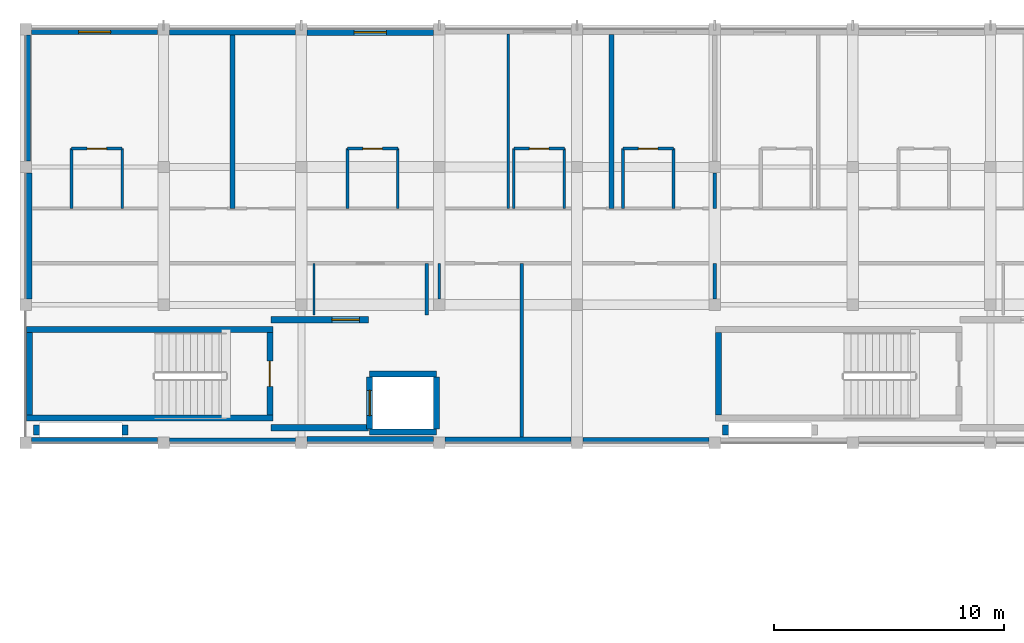
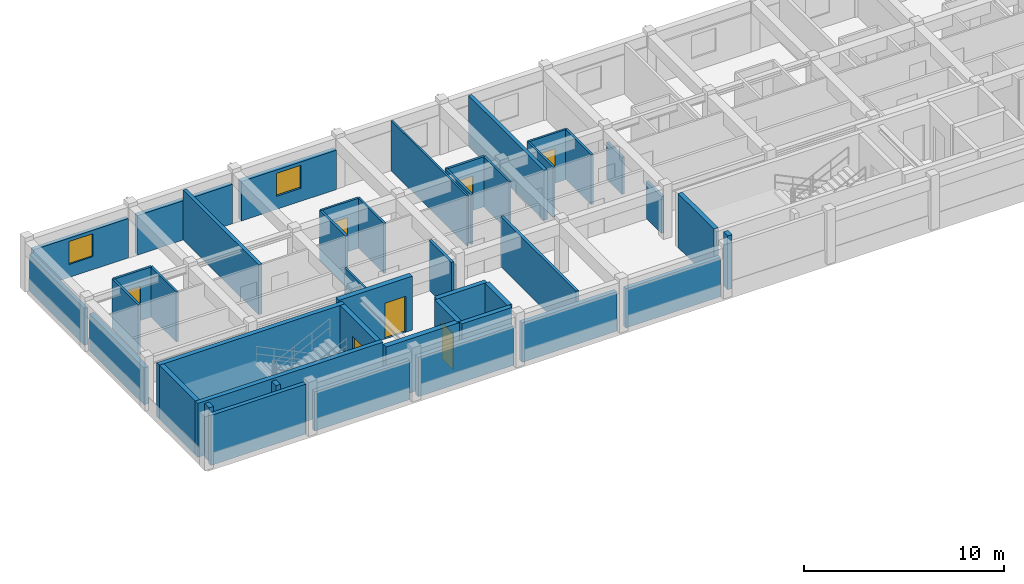
# One storey, part 7 of 15: 45 walls, 7 doors, 2 windows, 9 openings.
"""IFC4 building model written with IfcOpenShell, lengths in metres."""

from ifc_helpers import new_model, si_unit, direction, frame, frame_2d, origin, place, context, subcontext, project, spatial, rectangle, extrude, material, layer, layer_set, type_object, element, fill, save


model = new_model("IFC4")

# Units and contexts
model_context = context("Model", 3, precision=1e-05, world=origin(), true_north=direction((0.0, 1.0)))
body_context = subcontext(model_context, "Body", "Model", "MODEL_VIEW")
ifc_project = project(units=[si_unit("LENGTHUNIT", "METRE"), si_unit("AREAUNIT", "SQUARE_METRE"), si_unit("VOLUMEUNIT", "CUBIC_METRE"), si_unit("PLANEANGLEUNIT", "RADIAN"), si_unit("MASSUNIT", "GRAM", prefix="KILO"), si_unit("THERMODYNAMICTEMPERATUREUNIT", "KELVIN"), si_unit("POWERUNIT", "WATT")], contexts=[model_context])

# Site, building, storey
site_placement = place(None, origin())
site = spatial("IfcSite", under=ifc_project, at=site_placement, CompositionType="ELEMENT")
building_placement = place(site_placement, origin())
building = spatial("IfcBuilding", under=site, at=building_placement, Name="Phaisarnlok Congress Hotel", CompositionType="ELEMENT")
storey_placement = place(building_placement, frame((0.0, 0.0, 41.39990234375)))
storey = spatial("IfcBuildingStorey", under=building, at=storey_placement, Name="L10", CompositionType="ELEMENT", Elevation=41.39990234375)

# Walls
ifc_material_1 = material(Name="Concrete C40/50", Category="concrete")
ifc_layer_1 = layer(ifc_material_1, 0.2099609375, Name="Concrete C40/50")
ifc_layer_set_1 = layer_set([ifc_layer_1], Name="Concrete C40/50")
wall_type_1 = type_object("IfcWallType", Name="WL-EXT-210", PredefinedType="SOLIDWALL", material=ifc_layer_set_1)
wall_1_placement = place(storey_placement, frame((102.10498046875, 125.7451171875, 0.0), z_axis=(0.0, 0.0, 1.0), x_axis=(0.0, -1.0, 0.0)))
element("IfcWall", 1, at=wall_1_placement, inside=storey, type_object=wall_type_1, Name="Exterior wall EW-07 (L10)", PredefinedType="SOLIDWALL", context=body_context, shape_type="SweptSolid", body=[
    extrude(rectangle(XDim=5.490234375, YDim=0.2099609375, at=frame_2d((2.7451171875, 0.0))), origin(), (0.0, 0.0, 1.0), 2.260009765625),
])
wall_2_placement = place(storey_placement, frame((108.2548828125, 108.10498046875, 0.0), z_axis=(0.0, 0.0, 1.0), x_axis=(1.0, 0.0, 0.0)))
element("IfcWall", 2, at=wall_2_placement, inside=storey, type_object=wall_type_1, Name="Exterior wall EW-07 (L10)", PredefinedType="SOLIDWALL", context=body_context, shape_type="SweptSolid", body=[
    extrude(rectangle(XDim=5.490234375, YDim=0.2099609375, at=frame_2d((2.7451171875, 0.0))), origin(), (0.0, 0.0, 1.0), 2.41015625),
])

# Wall, opening, window
ifc_layer_2 = layer(ifc_material_1, 0.22998046875, Name="Concrete C40/50")
ifc_layer_set_2 = layer_set([ifc_layer_2], Name="Concrete C40/50")
wall_type_2 = type_object("IfcWallType", Name="WL-EXT-230", PredefinedType="SOLIDWALL", material=ifc_layer_set_2)
wall_3_placement = place(storey_placement, frame((107.7451171875, 125.885009765625, 0.0), z_axis=(0.0, 0.0, 1.0), x_axis=(-1.0, 0.0, 0.0)))
wall_3 = element("IfcWall", 3, at=wall_3_placement, inside=storey, type_object=wall_type_2, Name="Exterior wall EW-06 (L10)", PredefinedType="SOLIDWALL", context=body_context, shape_type="SweptSolid", body=[
    extrude(rectangle(XDim=5.490234375, YDim=0.22998046875, at=frame_2d((2.7451171875, 0.0))), origin(), (0.0, 0.0, 1.0), 2.41015625),
])
opening_1_placement = place(wall_3_placement, frame((2.044921875, 0.0, 0.800048828125)))
opening_1 = element("IfcOpeningElement", 4, at=opening_1_placement, cuts=wall_3, Name="Opening W-13", PredefinedType="OPENING", context=body_context, shape_type="SweptSolid", body=[
    extrude(rectangle(XDim=1.39990234375, YDim=1.39990234375, at=frame_2d((0.699951171875, 0.699951171875))), frame((0.0, 0.125, 0.0), z_axis=(0.0, -1.0, 0.0), x_axis=(1.0, 0.0, 0.0)), (0.0, 0.0, 1.0), 0.25),
])
ifc_material_2 = material(Name="Thermally Broken Aluminium & Low-E Double Glazing", Category="aluminium")
window_type = type_object("IfcWindowType", Name="WIN-POD-1400", PartitioningType="SINGLE_PANEL", PredefinedType="WINDOW", material=ifc_material_2)
window_1_placement = place(opening_1_placement, origin())
window_1 = element("IfcWindow", 5, at=window_1_placement, inside=storey, type_object=window_type, Name="Guestroom window W-13 (L10)", OverallHeight=1.39990234375, OverallWidth=1.39990234375, PartitioningType="SINGLE_PANEL", PredefinedType="WINDOW", context=body_context, shape_type="SweptSolid", body=[
    extrude(rectangle(XDim=1.39990234375, YDim=1.39990234375, at=frame_2d((0.699951171875, 0.699951171875))), frame((0.0, 0.030029296875, 0.0), z_axis=(0.0, -1.0, 0.0), x_axis=(1.0, 0.0, 0.0)), (0.0, 0.0, 1.0), 0.06005859375),
])
fill(opening_1, window_1)

# Walls
wall_4_placement = place(storey_placement, frame((102.2548828125, 108.114990234375, 0.0), z_axis=(0.0, 0.0, 1.0), x_axis=(1.0, 0.0, 0.0)))
element("IfcWall", 6, at=wall_4_placement, inside=storey, type_object=wall_type_2, Name="Exterior wall EW-06 (L10)", PredefinedType="SOLIDWALL", context=body_context, shape_type="SweptSolid", body=[
    extrude(rectangle(XDim=5.490234375, YDim=0.22998046875, at=frame_2d((2.7451171875, 0.0))), origin(), (0.0, 0.0, 1.0), 3.06005859375),
])
wall_5_placement = place(storey_placement, frame((126.2548828125, 108.114990234375, 0.0), z_axis=(0.0, 0.0, 1.0), x_axis=(1.0, 0.0, 0.0)))
element("IfcWall", 7, at=wall_5_placement, inside=storey, type_object=wall_type_2, Name="Exterior wall EW-06 (L10)", PredefinedType="SOLIDWALL", context=body_context, shape_type="SweptSolid", body=[
    extrude(rectangle(XDim=5.490234375, YDim=0.22998046875, at=frame_2d((2.7451171875, 0.0))), origin(), (0.0, 0.0, 1.0), 2.41015625),
])
ifc_layer_3 = layer(ifc_material_1, 0.25, Name="Concrete C40/50")
ifc_layer_set_3 = layer_set([ifc_layer_3], Name="Concrete C40/50")
wall_type_3 = type_object("IfcWallType", Name="WL-EXT-250", PredefinedType="SOLIDWALL", material=ifc_layer_set_3)
for number, where, z_axis, x_axis, name in (
    (8, (113.7451171875, 125.875, 0.0), (0.0, 0.0, 1.0), (-1.0, 0.0, 0.0), "Exterior wall EW-05 (L10)"),
    (9, (120.2548828125, 108.125, 0.0), (0.0, 0.0, 1.0), (1.0, 0.0, 0.0), "Exterior wall EW-05 (L10)"),
):
    element("IfcWall", number, at=place(storey_placement, frame(where, z_axis=z_axis, x_axis=x_axis)), inside=storey, type_object=wall_type_3, Name=name, PredefinedType="SOLIDWALL", context=body_context, shape_type="SweptSolid", body=[
        extrude(rectangle(XDim=5.490234375, YDim=0.25, at=frame_2d((2.7451171875, 0.0))), origin(), (0.0, 0.0, 1.0), 2.41015625),
    ])

# Wall, opening, window
ifc_layer_4 = layer(ifc_material_1, 0.27001953125, Name="Concrete C40/50")
ifc_layer_set_4 = layer_set([ifc_layer_4], Name="Concrete C40/50")
wall_type_4 = type_object("IfcWallType", Name="WL-EXT-270", PredefinedType="SOLIDWALL", material=ifc_layer_set_4)
wall_6_placement = place(storey_placement, frame((119.7451171875, 125.864990234375, 0.0), z_axis=(0.0, 0.0, 1.0), x_axis=(-1.0, 0.0, 0.0)))
wall_6 = element("IfcWall", 10, at=wall_6_placement, inside=storey, type_object=wall_type_4, Name="Exterior wall EW-04 (L10)", PredefinedType="SOLIDWALL", context=body_context, shape_type="SweptSolid", body=[
    extrude(rectangle(XDim=5.490234375, YDim=0.27001953125, at=frame_2d((2.7451171875, 0.0))), origin(), (0.0, 0.0, 1.0), 2.41015625),
])
opening_2_placement = place(wall_6_placement, frame((2.044921875, 0.0, 0.800048828125)))
opening_2 = element("IfcOpeningElement", 11, at=opening_2_placement, cuts=wall_6, Name="Opening W-13", PredefinedType="OPENING", context=body_context, shape_type="SweptSolid", body=[
    extrude(rectangle(XDim=1.39990234375, YDim=1.39990234375, at=frame_2d((0.699951171875, 0.699951171875))), frame((0.0, 0.14501953125, 0.0), z_axis=(0.0, -1.0, 0.0), x_axis=(1.0, 0.0, 0.0)), (0.0, 0.0, 1.0), 0.2900390625),
])
window_2_placement = place(opening_2_placement, origin())
window_2 = element("IfcWindow", 12, at=window_2_placement, inside=storey, type_object=window_type, Name="Guestroom window W-13 (L10)", OverallHeight=1.39990234375, OverallWidth=1.39990234375, PartitioningType="SINGLE_PANEL", PredefinedType="WINDOW", context=body_context, shape_type="SweptSolid", body=[
    extrude(rectangle(XDim=1.39990234375, YDim=1.39990234375, at=frame_2d((0.699951171875, 0.699951171875))), frame((0.0, 0.030029296875, 0.0), z_axis=(0.0, -1.0, 0.0), x_axis=(1.0, 0.0, 0.0)), (0.0, 0.0, 1.0), 0.06005859375),
])
fill(opening_2, window_2)

# Walls
wall_7_placement = place(storey_placement, frame((102.135009765625, 119.7451171875, 0.0), z_axis=(0.0, 0.0, 1.0), x_axis=(0.0, -1.0, 0.0)))
element("IfcWall", 13, at=wall_7_placement, inside=storey, type_object=wall_type_4, Name="Exterior wall EW-04 (L10)", PredefinedType="SOLIDWALL", context=body_context, shape_type="SweptSolid", body=[
    extrude(rectangle(XDim=5.490234375, YDim=0.27001953125, at=frame_2d((2.7451171875, 0.0))), origin(), (0.0, 0.0, 1.0), 2.260009765625),
])
wall_8_placement = place(storey_placement, frame((114.2548828125, 108.135009765625, 0.0), z_axis=(0.0, 0.0, 1.0), x_axis=(1.0, 0.0, 0.0)))
element("IfcWall", 14, at=wall_8_placement, inside=storey, type_object=wall_type_4, Name="Exterior wall EW-04 (L10)", PredefinedType="SOLIDWALL", context=body_context, shape_type="SweptSolid", body=[
    extrude(rectangle(XDim=5.490234375, YDim=0.27001953125, at=frame_2d((2.7451171875, 0.0))), origin(), (0.0, 0.0, 1.0), 2.41015625),
])
ifc_material_3 = material(Name="Service Riser Shaftwall Partition", Category="gypsum")
ifc_layer_5 = layer(ifc_material_3, 0.10498046875, Name="Service Riser Shaftwall Partition")
ifc_layer_set_5 = layer_set([ifc_layer_5], Name="Service Riser Shaftwall Partition")
wall_type_5 = type_object("IfcWallType", Name="WL-INT-105", PredefinedType="PARTITIONING", material=ifc_layer_set_5)
wall_9_placement = place(storey_placement, frame((114.550048828125, 113.56005859375, 0.0), z_axis=(0.0, 0.0, 1.0), x_axis=(0.0, 1.0, 0.0)))
element("IfcWall", 15, at=wall_9_placement, inside=storey, type_object=wall_type_5, Name="Interior partition wall IW-08 (L10)", PredefinedType="PARTITIONING", context=body_context, shape_type="SweptSolid", body=[
    extrude(rectangle(XDim=2.239990234375, YDim=0.10498046875, at=frame_2d((1.1201171875, 0.0))), origin(), (0.0, 0.0, 1.0), 3.06005859375),
])
wall_10_placement = place(storey_placement, frame((123.0, 118.199951171875, 0.0), z_axis=(0.0, 0.0, 1.0), x_axis=(0.0, 1.0, 0.0)))
element("IfcWall", 16, at=wall_10_placement, inside=storey, type_object=wall_type_5, Name="Interior partition wall IW-08 (L10)", PredefinedType="PARTITIONING", context=body_context, shape_type="SweptSolid", body=[
    extrude(rectangle(XDim=7.5849609375, YDim=0.10498046875, at=frame_2d((3.79248046875, 0.0))), origin(), (0.0, 0.0, 1.0), 3.06005859375),
])
ifc_material_4 = material(Name="Lightweight Metal-Stud Gypsum Partition", Category="gypsum")
ifc_layer_6 = layer(ifc_material_4, 0.1201171875, Name="Lightweight Metal-Stud Gypsum Partition")
ifc_layer_set_6 = layer_set([ifc_layer_6], Name="Lightweight Metal-Stud Gypsum Partition")
wall_type_6 = type_object("IfcWallType", Name="WL-INT-120", PredefinedType="PARTITIONING", material=ifc_layer_set_6)
for number, where, z_axis, x_axis, name in (
    (17, (106.199951171875, 118.199951171875, 0.0), (0.0, 0.0, 1.0), (0.0, 1.0, 0.0), "Interior partition wall IW-07 (L10)"),
    (18, (118.199951171875, 118.199951171875, 0.0), (0.0, 0.0, 1.0), (0.0, 1.0, 0.0), "Interior partition wall IW-07 (L10)"),
):
    element("IfcWall", number, at=place(storey_placement, frame(where, z_axis=z_axis, x_axis=x_axis)), inside=storey, type_object=wall_type_6, Name=name, PredefinedType="PARTITIONING", context=body_context, shape_type="SweptSolid", body=[
        extrude(rectangle(XDim=2.60009765625, YDim=0.1201171875, at=frame_2d((1.300048828125, 0.0))), origin(), (0.0, 0.0, 1.0), 3.06005859375),
    ])
wall_11_placement = place(storey_placement, frame((120.0, 114.2548828125, 0.0), z_axis=(0.0, 0.0, 1.0), x_axis=(0.0, 1.0, 0.0)))
element("IfcWall", 19, at=wall_11_placement, inside=storey, type_object=wall_type_6, Name="Interior partition wall IW-07 (L10)", PredefinedType="PARTITIONING", context=body_context, shape_type="SweptSolid", body=[
    extrude(rectangle(XDim=1.545166015625, YDim=0.1201171875, at=frame_2d((0.7724609375, 0.0))), origin(), (0.0, 0.0, 1.0), 2.260009765625),
])
for number, where, z_axis, x_axis, name in (
    (20, (123.25, 118.199951171875, 0.0), (0.0, 0.0, 1.0), (0.0, 1.0, 0.0), "Interior partition wall IW-07 (L10)"),
    (21, (125.449951171875, 118.199951171875, 0.0), (0.0, 0.0, 1.0), (0.0, 1.0, 0.0), "Interior partition wall IW-07 (L10)"),
    (22, (128.0, 118.199951171875, 0.0), (0.0, 0.0, 1.0), (0.0, 1.0, 0.0), "Interior partition wall IW-07 (L10)"),
):
    element("IfcWall", number, at=place(storey_placement, frame(where, z_axis=z_axis, x_axis=x_axis)), inside=storey, type_object=wall_type_6, Name=name, PredefinedType="PARTITIONING", context=body_context, shape_type="SweptSolid", body=[
        extrude(rectangle(XDim=2.60009765625, YDim=0.1201171875, at=frame_2d((1.300048828125, 0.0))), origin(), (0.0, 0.0, 1.0), 3.06005859375),
    ])

# Wall, opening, door
wall_12_placement = place(storey_placement, frame((116.0, 120.800048828125, 0.0), z_axis=(0.0, 0.0, 1.0), x_axis=(1.0, 0.0, 0.0)))
wall_12 = element("IfcWall", 23, at=wall_12_placement, inside=storey, type_object=wall_type_6, Name="Interior partition wall IW-07 (L10)", PredefinedType="PARTITIONING", context=body_context, shape_type="SweptSolid", body=[
    extrude(rectangle(XDim=2.199951171875, YDim=0.1201171875, at=frame_2d((1.10009765625, 0.0))), origin(), (0.0, 0.0, 1.0), 3.06005859375),
])
opening_3_placement = place(wall_12_placement, frame((0.675048828125, 0.0, 0.0)))
opening_3 = element("IfcOpeningElement", 24, at=opening_3_placement, cuts=wall_12, Name="Opening D-0563", PredefinedType="OPENING", context=body_context, shape_type="SweptSolid", body=[
    extrude(rectangle(XDim=0.85009765625, YDim=2.10009765625, at=frame_2d((0.425048828125, 1.050048828125))), frame((0.0, 0.070068359375, 0.0), z_axis=(0.0, -1.0, 0.0), x_axis=(1.0, 0.0, 0.0)), (0.0, 0.0, 1.0), 0.14013671875),
])
ifc_material_5 = material(Name="Moisture-Resistant Lacquered Timber", Category="wood")
door_type_1 = type_object("IfcDoorType", Name="DR-BATH-850", OperationType="NOTDEFINED", PredefinedType="DOOR", material=ifc_material_5)
door_1_placement = place(opening_3_placement, origin())
door_1 = element("IfcDoor", 25, at=door_1_placement, inside=storey, type_object=door_type_1, Name="Interior door D-0563 (L10)", OperationType="SINGLE_SWING_LEFT", OverallHeight=2.10009765625, OverallWidth=0.85009765625, PredefinedType="DOOR", context=body_context, shape_type="SweptSolid", body=[
    extrude(rectangle(XDim=0.85009765625, YDim=2.10009765625, at=frame_2d((0.425048828125, 1.050048828125))), frame((0.0, 0.02490234375, 0.0), z_axis=(0.0, -1.0, 0.0), x_axis=(1.0, 0.0, 0.0)), (0.0, 0.0, 1.0), 0.050048828125),
])
fill(opening_3, door_1)

wall_13_placement = place(storey_placement, frame((128.0, 120.800048828125, 0.0), z_axis=(0.0, 0.0, 1.0), x_axis=(1.0, 0.0, 0.0)))
wall_13 = element("IfcWall", 26, at=wall_13_placement, inside=storey, type_object=wall_type_6, Name="Interior partition wall IW-07 (L10)", PredefinedType="PARTITIONING", context=body_context, shape_type="SweptSolid", body=[
    extrude(rectangle(XDim=2.199951171875, YDim=0.1201171875, at=frame_2d((1.10009765625, 0.0))), origin(), (0.0, 0.0, 1.0), 3.06005859375),
])
opening_4_placement = place(wall_13_placement, frame((0.675048828125, 0.0, 0.0)))
opening_4 = element("IfcOpeningElement", 27, at=opening_4_placement, cuts=wall_13, Name="Opening D-0567", PredefinedType="OPENING", context=body_context, shape_type="SweptSolid", body=[
    extrude(rectangle(XDim=0.85009765625, YDim=2.10009765625, at=frame_2d((0.425048828125, 1.050048828125))), frame((0.0, 0.070068359375, 0.0), z_axis=(0.0, -1.0, 0.0), x_axis=(1.0, 0.0, 0.0)), (0.0, 0.0, 1.0), 0.14013671875),
])
door_2_placement = place(opening_4_placement, origin())
door_2 = element("IfcDoor", 28, at=door_2_placement, inside=storey, type_object=door_type_1, Name="Interior door D-0567 (L10)", OperationType="SINGLE_SWING_LEFT", OverallHeight=2.10009765625, OverallWidth=0.85009765625, PredefinedType="DOOR", context=body_context, shape_type="SweptSolid", body=[
    extrude(rectangle(XDim=0.85009765625, YDim=2.10009765625, at=frame_2d((0.425048828125, 1.050048828125))), frame((0.0, 0.02490234375, 0.0), z_axis=(0.0, -1.0, 0.0), x_axis=(1.0, 0.0, 0.0)), (0.0, 0.0, 1.0), 0.050048828125),
])
fill(opening_4, door_2)

# Walls
ifc_material_6 = material(Name="Moisture-Resistant Gypsum Partition", Category="gypsum")
ifc_layer_7 = layer(ifc_material_6, 0.135009765625, Name="Moisture-Resistant Gypsum Partition")
ifc_layer_set_7 = layer_set([ifc_layer_7], Name="Moisture-Resistant Gypsum Partition")
wall_type_7 = type_object("IfcWallType", Name="WL-INT-135", PredefinedType="PARTITIONING", material=ifc_layer_set_7)
for number, where, z_axis, x_axis, name in (
    (29, (104.0, 118.199951171875, 0.0), (0.0, 0.0, 1.0), (0.0, 1.0, 0.0), "Interior partition wall IW-06 (L10)"),
    (30, (116.0, 118.199951171875, 0.0), (0.0, 0.0, 1.0), (0.0, 1.0, 0.0), "Interior partition wall IW-06 (L10)"),
    (31, (130.199951171875, 118.199951171875, 0.0), (0.0, 0.0, 1.0), (0.0, 1.0, 0.0), "Interior partition wall IW-06 (L10)"),
):
    element("IfcWall", number, at=place(storey_placement, frame(where, z_axis=z_axis, x_axis=x_axis)), inside=storey, type_object=wall_type_7, Name=name, PredefinedType="PARTITIONING", context=body_context, shape_type="SweptSolid", body=[
        extrude(rectangle(XDim=2.60009765625, YDim=0.135009765625, at=frame_2d((1.300048828125, 0.0))), origin(), (0.0, 0.0, 1.0), 3.06005859375),
    ])

# Wall, opening, door
wall_14_placement = place(storey_placement, frame((104.0, 120.800048828125, 0.0), z_axis=(0.0, 0.0, 1.0), x_axis=(1.0, 0.0, 0.0)))
wall_14 = element("IfcWall", 32, at=wall_14_placement, inside=storey, type_object=wall_type_7, Name="Interior partition wall IW-06 (L10)", PredefinedType="PARTITIONING", context=body_context, shape_type="SweptSolid", body=[
    extrude(rectangle(XDim=2.199951171875, YDim=0.135009765625, at=frame_2d((1.10009765625, 0.0))), origin(), (0.0, 0.0, 1.0), 3.06005859375),
])
opening_5_placement = place(wall_14_placement, frame((0.675048828125, 0.0, 0.0)))
opening_5 = element("IfcOpeningElement", 33, at=opening_5_placement, cuts=wall_14, Name="Opening D-0561", PredefinedType="OPENING", context=body_context, shape_type="SweptSolid", body=[
    extrude(rectangle(XDim=0.85009765625, YDim=2.10009765625, at=frame_2d((0.425048828125, 1.050048828125))), frame((0.0, 0.07763671875, 0.0), z_axis=(0.0, -1.0, 0.0), x_axis=(1.0, 0.0, 0.0)), (0.0, 0.0, 1.0), 0.155029296875),
])
door_3_placement = place(opening_5_placement, origin())
door_3 = element("IfcDoor", 34, at=door_3_placement, inside=storey, type_object=door_type_1, Name="Interior door D-0561 (L10)", OperationType="SINGLE_SWING_LEFT", OverallHeight=2.10009765625, OverallWidth=0.85009765625, PredefinedType="DOOR", context=body_context, shape_type="SweptSolid", body=[
    extrude(rectangle(XDim=0.85009765625, YDim=2.10009765625, at=frame_2d((0.425048828125, 1.050048828125))), frame((0.0, 0.02490234375, 0.0), z_axis=(0.0, -1.0, 0.0), x_axis=(1.0, 0.0, 0.0)), (0.0, 0.0, 1.0), 0.050048828125),
])
fill(opening_5, door_3)

wall_15_placement = place(storey_placement, frame((123.25, 120.800048828125, 0.0), z_axis=(0.0, 0.0, 1.0), x_axis=(1.0, 0.0, 0.0)))
wall_15 = element("IfcWall", 35, at=wall_15_placement, inside=storey, type_object=wall_type_7, Name="Interior partition wall IW-06 (L10)", PredefinedType="PARTITIONING", context=body_context, shape_type="SweptSolid", body=[
    extrude(rectangle(XDim=2.199951171875, YDim=0.135009765625, at=frame_2d((1.10009765625, 0.0))), origin(), (0.0, 0.0, 1.0), 3.06005859375),
])
opening_6_placement = place(wall_15_placement, frame((0.675048828125, 0.0, 0.0)))
opening_6 = element("IfcOpeningElement", 36, at=opening_6_placement, cuts=wall_15, Name="Opening D-0565", PredefinedType="OPENING", context=body_context, shape_type="SweptSolid", body=[
    extrude(rectangle(XDim=0.85009765625, YDim=2.10009765625, at=frame_2d((0.425048828125, 1.050048828125))), frame((0.0, 0.07763671875, 0.0), z_axis=(0.0, -1.0, 0.0), x_axis=(1.0, 0.0, 0.0)), (0.0, 0.0, 1.0), 0.155029296875),
])
door_4_placement = place(opening_6_placement, origin())
door_4 = element("IfcDoor", 37, at=door_4_placement, inside=storey, type_object=door_type_1, Name="Interior door D-0565 (L10)", OperationType="SINGLE_SWING_LEFT", OverallHeight=2.10009765625, OverallWidth=0.85009765625, PredefinedType="DOOR", context=body_context, shape_type="SweptSolid", body=[
    extrude(rectangle(XDim=0.85009765625, YDim=2.10009765625, at=frame_2d((0.425048828125, 1.050048828125))), frame((0.0, 0.02490234375, 0.0), z_axis=(0.0, -1.0, 0.0), x_axis=(1.0, 0.0, 0.0)), (0.0, 0.0, 1.0), 0.050048828125),
])
fill(opening_6, door_4)

# Walls
ifc_material_7 = material(Name="Acoustic Gypsum Board & Mineral Wool", Category="gypsum")
ifc_layer_8 = layer(ifc_material_7, 0.14990234375, Name="Acoustic Gypsum Board & Mineral Wool")
ifc_layer_set_8 = layer_set([ifc_layer_8], Name="Acoustic Gypsum Board & Mineral Wool")
wall_type_8 = type_object("IfcWallType", Name="WL-INT-150", PredefinedType="PARTITIONING", material=ifc_layer_set_8)
wall_16_placement = place(storey_placement, frame((119.449951171875, 113.56005859375, 0.0), z_axis=(0.0, 0.0, 1.0), x_axis=(0.0, 1.0, 0.0)))
element("IfcWall", 38, at=wall_16_placement, inside=storey, type_object=wall_type_8, Name="Interior partition wall IW-05 (L10)", PredefinedType="PARTITIONING", context=body_context, shape_type="SweptSolid", body=[
    extrude(rectangle(XDim=2.239990234375, YDim=0.14990234375, at=frame_2d((1.1201171875, 0.0))), origin(), (0.0, 0.0, 1.0), 3.06005859375),
])
wall_17_placement = place(storey_placement, frame((132.0, 118.199951171875, 0.0), z_axis=(0.0, 0.0, 1.0), x_axis=(0.0, 1.0, 0.0)))
element("IfcWall", 39, at=wall_17_placement, inside=storey, type_object=wall_type_8, Name="Interior partition wall IW-05 (L10)", PredefinedType="PARTITIONING", context=body_context, shape_type="SweptSolid", body=[
    extrude(rectangle(XDim=1.545166015625, YDim=0.14990234375, at=frame_2d((0.7724609375, 0.0))), origin(), (0.0, 0.0, 1.0), 2.260009765625),
])
ifc_material_8 = material(Name="Double-Stud Acoustic Gypsum Partition", Category="gypsum")
ifc_layer_9 = layer(ifc_material_8, 0.159912109375, Name="Double-Stud Acoustic Gypsum Partition")
ifc_layer_set_9 = layer_set([ifc_layer_9], Name="Double-Stud Acoustic Gypsum Partition")
wall_type_9 = type_object("IfcWallType", Name="WL-INT-160", PredefinedType="PARTITIONING", material=ifc_layer_set_9)
wall_18_placement = place(storey_placement, frame((123.60009765625, 108.2548828125, 0.0), z_axis=(0.0, 0.0, 1.0), x_axis=(0.0, 1.0, 0.0)))
element("IfcWall", 40, at=wall_18_placement, inside=storey, type_object=wall_type_9, Name="Interior partition wall IW-04 (L10)", PredefinedType="PARTITIONING", context=body_context, shape_type="SweptSolid", body=[
    extrude(rectangle(XDim=7.545166015625, YDim=0.159912109375, at=frame_2d((3.7724609375, 0.0))), origin(), (0.0, 0.0, 1.0), 3.06005859375),
])
wall_19_placement = place(storey_placement, frame((132.0, 114.2548828125, 0.0), z_axis=(0.0, 0.0, 1.0), x_axis=(0.0, 1.0, 0.0)))
element("IfcWall", 41, at=wall_19_placement, inside=storey, type_object=wall_type_9, Name="Interior partition wall IW-04 (L10)", PredefinedType="PARTITIONING", context=body_context, shape_type="SweptSolid", body=[
    extrude(rectangle(XDim=1.545166015625, YDim=0.159912109375, at=frame_2d((0.7724609375, 0.0))), origin(), (0.0, 0.0, 1.0), 2.260009765625),
])
ifc_material_9 = material(Name="Autoclaved Aerated Concrete Block", Category="concrete")
ifc_layer_10 = layer(ifc_material_9, 0.199951171875, Name="Autoclaved Aerated Concrete Block")
ifc_layer_set_10 = layer_set([ifc_layer_10], Name="Autoclaved Aerated Concrete Block")
wall_type_10 = type_object("IfcWallType", Name="WL-INT-200", PredefinedType="PARTITIONING", material=ifc_layer_set_10)
wall_20_placement = place(storey_placement, frame((111.0, 118.199951171875, 0.0), z_axis=(0.0, 0.0, 1.0), x_axis=(0.0, 1.0, 0.0)))
element("IfcWall", 42, at=wall_20_placement, inside=storey, type_object=wall_type_10, Name="Interior partition wall IW-02 (L10)", PredefinedType="PARTITIONING", context=body_context, shape_type="SweptSolid", body=[
    extrude(rectangle(XDim=7.545166015625, YDim=0.199951171875, at=frame_2d((3.7724609375, 0.0))), origin(), (0.0, 0.0, 1.0), 3.06005859375),
])
wall_21_placement = place(storey_placement, frame((127.5, 118.199951171875, 0.0), z_axis=(0.0, 0.0, 1.0), x_axis=(0.0, 1.0, 0.0)))
element("IfcWall", 43, at=wall_21_placement, inside=storey, type_object=wall_type_10, Name="Interior partition wall IW-02 (L10)", PredefinedType="PARTITIONING", context=body_context, shape_type="SweptSolid", body=[
    extrude(rectangle(XDim=7.56494140625, YDim=0.199951171875, at=frame_2d((3.782470703125, 0.0))), origin(), (0.0, 0.0, 1.0), 3.06005859375),
])
ifc_material_10 = material(Name="Concrete C50/60", Category="concrete")
ifc_layer_11 = layer(ifc_material_10, 0.260009765625, Name="Concrete C50/60")
ifc_layer_set_11 = layer_set([ifc_layer_11], Name="Concrete C50/60")
wall_type_11 = type_object("IfcWallType", Name="WL-SHR-260", PredefinedType="SHEAR", material=ifc_layer_set_11)
wall_22_placement = place(storey_placement, frame((132.169921875, 109.199951171875, 0.0), z_axis=(0.0, 0.0, 1.0), x_axis=(0.0, 1.0, 0.0)))
element("IfcWall", 44, at=wall_22_placement, inside=storey, type_object=wall_type_11, Name="Stair shaft shear wall SW-04 (CORE-2 L10)", PredefinedType="SHEAR", context=body_context, shape_type="SweptSolid", body=[
    extrude(rectangle(XDim=3.60009765625, YDim=0.260009765625, at=frame_2d((1.800048828125, 0.0))), origin(), (0.0, 0.0, 1.0), 3.300048828125),
])
wall_23_placement = place(storey_placement, frame((132.469970703125, 108.330078125, 0.0), z_axis=(0.0, 0.0, 1.0), x_axis=(0.0, 1.0, 0.0)))
element("IfcWall", 45, at=wall_23_placement, inside=storey, type_object=wall_type_11, Name="Service riser shaft wall SW-04 (CORE-2 L10)", PredefinedType="SHEAR", context=body_context, shape_type="SweptSolid", body=[
    extrude(rectangle(XDim=0.43994140625, YDim=0.260009765625, at=frame_2d((0.219970703125, 0.0))), origin(), (0.0, 0.0, 1.0), 3.300048828125),
])
for number, where, z_axis, x_axis, name in (
    (46, (102.0400390625, 109.070068359375, 0.0), (0.0, 0.0, 1.0), (1.0, 0.0, 0.0), "Stair shaft shear wall SW-04 (CORE-4 L10)"),
    (47, (102.0400390625, 112.929931640625, 0.0), (0.0, 0.0, 1.0), (1.0, 0.0, 0.0), "Stair shaft shear wall SW-04 (CORE-4 L10)"),
):
    element("IfcWall", number, at=place(storey_placement, frame(where, z_axis=z_axis, x_axis=x_axis)), inside=storey, type_object=wall_type_11, Name=name, PredefinedType="SHEAR", context=body_context, shape_type="SweptSolid", body=[
        extrude(rectangle(XDim=10.719970703125, YDim=0.260009765625, at=frame_2d((5.35986328125, 0.0))), origin(), (0.0, 0.0, 1.0), 3.300048828125),
    ])

# Wall, opening, door
wall_24_placement = place(storey_placement, frame((112.6298828125, 109.199951171875, 0.0), z_axis=(0.0, 0.0, 1.0), x_axis=(0.0, 1.0, 0.0)))
wall_24 = element("IfcWall", 48, at=wall_24_placement, inside=storey, type_object=wall_type_11, Name="Stair shaft shear wall SW-04 (CORE-4 L10)", PredefinedType="SHEAR", context=body_context, shape_type="SweptSolid", body=[
    extrude(rectangle(XDim=3.60009765625, YDim=0.260009765625, at=frame_2d((1.800048828125, 0.0))), origin(), (0.0, 0.0, 1.0), 3.300048828125),
])
opening_7_placement = place(wall_24_placement, frame((1.25, 0.0, 0.0)))
opening_7 = element("IfcOpeningElement", 49, at=opening_7_placement, cuts=wall_24, Name="Opening FD-102", PredefinedType="OPENING", context=body_context, shape_type="SweptSolid", body=[
    extrude(rectangle(XDim=1.10009765625, YDim=2.14990234375, at=frame_2d((0.550048828125, 1.074951171875))), frame((0.0, 0.14013671875, 0.0), z_axis=(0.0, -1.0, 0.0), x_axis=(1.0, 0.0, 0.0)), (0.0, 0.0, 1.0), 0.280029296875),
])
ifc_material_11 = material(Name="Fire-Rated Steel Frame & Timber Leaf", Category="steel")
door_type_2 = type_object("IfcDoorType", Name="DR-FD60-1100", OperationType="NOTDEFINED", PredefinedType="DOOR", material=ifc_material_11)
door_5_placement = place(opening_7_placement, origin())
door_5 = element("IfcDoor", 50, at=door_5_placement, inside=storey, type_object=door_type_2, Name="Stair enclosure fire door FD-102 (L10)", OperationType="SINGLE_SWING_LEFT", OverallHeight=2.14990234375, OverallWidth=1.10009765625, PredefinedType="DOOR", context=body_context, shape_type="SweptSolid", body=[
    extrude(rectangle(XDim=1.10009765625, YDim=2.14990234375, at=frame_2d((0.550048828125, 1.074951171875))), frame((0.0, 0.02490234375, 0.0), z_axis=(0.0, -1.0, 0.0), x_axis=(1.0, 0.0, 0.0)), (0.0, 0.0, 1.0), 0.050048828125),
])
fill(opening_7, door_5)

# Walls
for number, where, z_axis, x_axis, name in (
    (51, (116.969970703125, 108.469970703125, 0.0), (0.0, 0.0, 1.0), (1.0, 0.0, 0.0), "Lift shaft shear wall SW-04 (LF-HP4 L10)"),
    (52, (116.969970703125, 110.97998046875, 0.0), (0.0, 0.0, 1.0), (1.0, 0.0, 0.0), "Lift shaft shear wall SW-04 (LF-HP4 L10)"),
):
    element("IfcWall", number, at=place(storey_placement, frame(where, z_axis=z_axis, x_axis=x_axis)), inside=storey, type_object=wall_type_11, Name=name, PredefinedType="SHEAR", context=body_context, shape_type="SweptSolid", body=[
        extrude(rectangle(XDim=2.909912109375, YDim=0.260009765625, at=frame_2d((1.455078125, 0.0))), origin(), (0.0, 0.0, 1.0), 3.300048828125),
    ])
wall_25_placement = place(storey_placement, frame((119.8798828125, 108.60009765625, 0.0), z_axis=(0.0, 0.0, 1.0), x_axis=(0.0, 1.0, 0.0)))
element("IfcWall", 53, at=wall_25_placement, inside=storey, type_object=wall_type_11, Name="Lift shaft shear wall SW-04 (LF-HP4 L10)", PredefinedType="SHEAR", context=body_context, shape_type="SweptSolid", body=[
    extrude(rectangle(XDim=2.25, YDim=0.260009765625, at=frame_2d((1.125, 0.0))), origin(), (0.0, 0.0, 1.0), 3.300048828125),
])

# Wall, opening, door
wall_26_placement = place(storey_placement, frame((116.969970703125, 108.60009765625, 0.0), z_axis=(0.0, 0.0, 1.0), x_axis=(0.0, 1.0, 0.0)))
wall_26 = element("IfcWall", 54, at=wall_26_placement, inside=storey, type_object=wall_type_11, Name="Lift shaft front wall SW-04 (LF-HP4 L10)", PredefinedType="SHEAR", context=body_context, shape_type="SweptSolid", body=[
    extrude(rectangle(XDim=2.25, YDim=0.260009765625, at=frame_2d((1.125, 0.0))), origin(), (0.0, 0.0, 1.0), 3.300048828125),
])
opening_8_placement = place(wall_26_placement, frame((0.574951171875, 0.0, 0.0)))
opening_8 = element("IfcOpeningElement", 55, at=opening_8_placement, cuts=wall_26, Name="Opening LD-102", PredefinedType="OPENING", context=body_context, shape_type="SweptSolid", body=[
    extrude(rectangle(XDim=1.10009765625, YDim=2.199951171875, at=frame_2d((0.550048828125, 1.10009765625))), frame((0.0, 0.14013671875, 0.0), z_axis=(0.0, -1.0, 0.0), x_axis=(1.0, 0.0, 0.0)), (0.0, 0.0, 1.0), 0.280029296875),
])
ifc_material_12 = material(Name="Brushed Stainless Steel Grade 304", Category="steel")
door_type_3 = type_object("IfcDoorType", Name="DR-LD-1100", OperationType="DOUBLE_DOOR_SLIDING", PredefinedType="DOOR", material=ifc_material_12)
door_6_placement = place(opening_8_placement, origin())
door_6 = element("IfcDoor", 56, at=door_6_placement, inside=storey, type_object=door_type_3, Name="Lift landing sliding door LD-102 (LF-HP4 L10)", OperationType="DOUBLE_DOOR_SLIDING", OverallHeight=2.199951171875, OverallWidth=1.10009765625, PredefinedType="DOOR", context=body_context, shape_type="SweptSolid", body=[
    extrude(rectangle(XDim=1.10009765625, YDim=2.199951171875, at=frame_2d((0.550048828125, 1.10009765625))), frame((0.0, 0.02490234375, 0.0), z_axis=(0.0, -1.0, 0.0), x_axis=(1.0, 0.0, 0.0)), (0.0, 0.0, 1.0), 0.050048828125),
])
fill(opening_8, door_6)

# Walls
for number, where, z_axis, x_axis, name in (
    (57, (102.469970703125, 108.330078125, 0.0), (0.0, 0.0, 1.0), (0.0, 1.0, 0.0), "Service riser shaft wall SW-04 (CORE-4 L10)"),
    (58, (106.330078125, 108.330078125, 0.0), (0.0, 0.0, 1.0), (0.0, 1.0, 0.0), "Service riser shaft wall SW-04 (CORE-4 L10)"),
):
    element("IfcWall", number, at=place(storey_placement, frame(where, z_axis=z_axis, x_axis=x_axis)), inside=storey, type_object=wall_type_11, Name=name, PredefinedType="SHEAR", context=body_context, shape_type="SweptSolid", body=[
        extrude(rectangle(XDim=0.43994140625, YDim=0.260009765625, at=frame_2d((0.219970703125, 0.0))), origin(), (0.0, 0.0, 1.0), 3.300048828125),
    ])
ifc_layer_12 = layer(ifc_material_10, 0.260009765625, Name="Concrete C50/60")
ifc_layer_set_12 = layer_set([ifc_layer_12], Name="Concrete C50/60")
wall_type_12 = type_object("IfcWallType", Name="WL-SHR-260-EXT", PredefinedType="SHEAR", material=ifc_layer_set_12)
wall_27_placement = place(storey_placement, frame((102.169921875, 109.199951171875, 0.0), z_axis=(0.0, 0.0, 1.0), x_axis=(0.0, 1.0, 0.0)))
element("IfcWall", 59, at=wall_27_placement, inside=storey, type_object=wall_type_12, Name="Stair shaft shear wall SW-04E (CORE-4 L10)", PredefinedType="SHEAR", context=body_context, shape_type="SweptSolid", body=[
    extrude(rectangle(XDim=3.60009765625, YDim=0.260009765625, at=frame_2d((1.800048828125, 0.0))), origin(), (0.0, 0.0, 1.0), 3.300048828125),
])

# Wall, opening, door
ifc_layer_13 = layer(ifc_material_10, 0.300048828125, Name="Concrete C50/60")
ifc_layer_set_13 = layer_set([ifc_layer_13], Name="Concrete C50/60")
wall_type_13 = type_object("IfcWallType", Name="WL-SHR-300", PredefinedType="SHEAR", material=ifc_layer_set_13)
wall_28_placement = place(storey_placement, frame((112.679931640625, 113.35009765625, 0.0), z_axis=(0.0, 0.0, 1.0), x_axis=(1.0, 0.0, 0.0)))
wall_28 = element("IfcWall", 60, at=wall_28_placement, inside=storey, type_object=wall_type_13, Name="Core lobby EI-120 wall SW-03 (CORE-4 L10)", PredefinedType="SHEAR", context=body_context, shape_type="SweptSolid", body=[
    extrude(rectangle(XDim=4.239990234375, YDim=0.300048828125, at=frame_2d((2.1201171875, 0.0))), origin(), (0.0, 0.0, 1.0), 3.300048828125),
])
opening_9_placement = place(wall_28_placement, frame((2.64990234375, 0.0, 0.0)))
opening_9 = element("IfcOpeningElement", 61, at=opening_9_placement, cuts=wall_28, Name="Opening FD-117", PredefinedType="OPENING", context=body_context, shape_type="SweptSolid", body=[
    extrude(rectangle(XDim=1.199951171875, YDim=2.199951171875, at=frame_2d((0.60009765625, 1.10009765625))), frame((0.0, 0.16015625, 0.0), z_axis=(0.0, -1.0, 0.0), x_axis=(1.0, 0.0, 0.0)), (0.0, 0.0, 1.0), 0.320068359375),
])
door_type_4 = type_object("IfcDoorType", Name="DR-FD60-1200", OperationType="NOTDEFINED", PredefinedType="DOOR", material=ifc_material_11)
door_7_placement = place(opening_9_placement, origin())
door_7 = element("IfcDoor", 62, at=door_7_placement, inside=storey, type_object=door_type_4, Name="Firefighting lobby entrance door FD-117 (CORE-4 L10)", OperationType="SINGLE_SWING_RIGHT", OverallHeight=2.199951171875, OverallWidth=1.199951171875, PredefinedType="DOOR", context=body_context, shape_type="SweptSolid", body=[
    extrude(rectangle(XDim=1.199951171875, YDim=2.199951171875, at=frame_2d((0.60009765625, 1.10009765625))), frame((0.0, 0.02490234375, 0.0), z_axis=(0.0, -1.0, 0.0), x_axis=(1.0, 0.0, 0.0)), (0.0, 0.0, 1.0), 0.050048828125),
])
fill(opening_9, door_7)

# Wall
wall_29_placement = place(storey_placement, frame((112.679931640625, 108.64990234375, 0.0), z_axis=(0.0, 0.0, 1.0), x_axis=(1.0, 0.0, 0.0)))
element("IfcWall", 63, at=wall_29_placement, inside=storey, type_object=wall_type_13, Name="Core lobby EI-120 wall SW-03 (CORE-4 L10)", PredefinedType="SHEAR", context=body_context, shape_type="SweptSolid", body=[
    extrude(rectangle(XDim=4.239990234375, YDim=0.300048828125, at=frame_2d((2.1201171875, 0.0))), origin(), (0.0, 0.0, 1.0), 3.300048828125),
])

save(model, "model.ifc")
